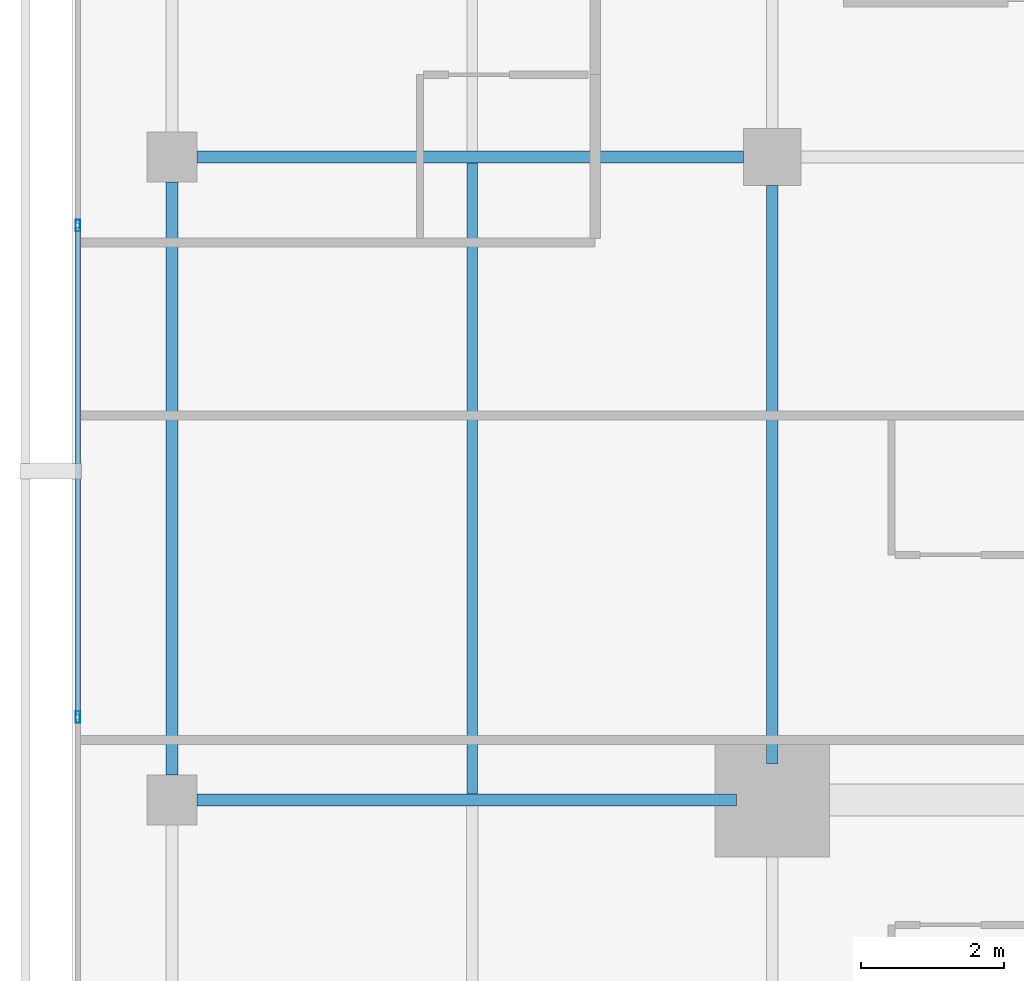
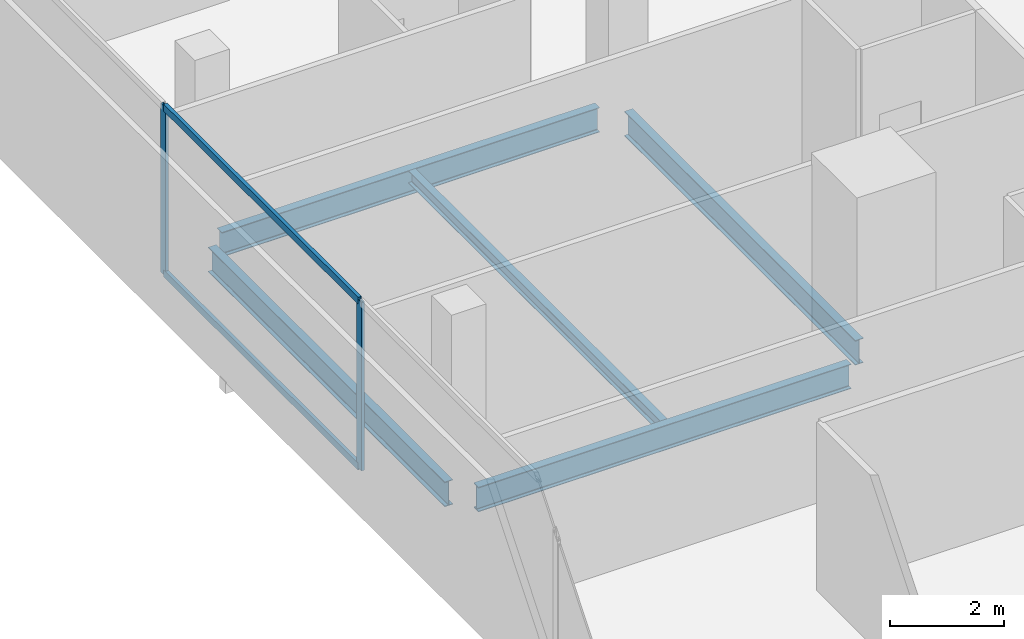
# One storey, part 8 of 26: 5 beams, 4 members, 1 element without a shape of its own.
"""IFC4 building model written with IfcOpenShell, lengths in metres."""

import ifcopenshell
import ifcopenshell.guid

model = None  # the IFC model being written
_history = None  # IfcOwnerHistory: only IFC2X3 demands one
_inside = {}  # id of a spatial element -> (the spatial element, [elements in it])
_under = {}  # id of a project, library or spatial element -> (it, [spatial elements below it])
_declared = {}  # id of a project -> (the project, [libraries it declares])
_typed = {}  # id of a type object -> (the type object, [elements of that type])
_made_of = {}  # id of a material, layer set ... -> (it, [elements and type objects made of it])


def new_model(schema):
    """Start an empty IFC model of exactly this schema.

    Asked for "IFC4X3", IfcOpenShell would pick the latest addendum, in which some entities
    have other attributes; the version numbers below select the first issue.
    IFC2X3 requires an IfcOwnerHistory on every rooted entity: one is made here for all.
    """
    global model, _history
    if schema == "IFC4X3":
        model = ifcopenshell.file(schema_version=(4, 3, 0, 0))
    else:
        model = ifcopenshell.file(schema=schema)
    _inside.clear()
    _under.clear()
    _declared.clear()
    _typed.clear()
    _made_of.clear()
    _history = None
    if model.schema == "IFC2X3":
        org = make("IfcOrganization", Name="unknown")
        user = make(
            "IfcPersonAndOrganization",
            ThePerson=make("IfcPerson", FamilyName="unknown"),
            TheOrganization=org,
        )
        app = make(
            "IfcApplication",
            ApplicationDeveloper=org,
            Version="unknown",
            ApplicationFullName="unknown",
            ApplicationIdentifier="unknown",
        )
        _history = make(
            "IfcOwnerHistory",
            OwningUser=user,
            OwningApplication=app,
            ChangeAction="ADDED",
            CreationDate=0,
        )
    return model


def make(cls, **values):
    """One entity of the class cls with the attributes given. An attribute that is None is left unset."""
    return model.create_entity(
        cls, **{name: value for name, value in values.items() if value is not None}
    )


def rooted(cls, **values):
    """An entity with a GlobalId (a new one), such as an element, a storey or a relation."""
    return make(cls, GlobalId=ifcopenshell.guid.new(), OwnerHistory=_history, **values)


def si_unit(unit_type, name, prefix=None):
    """IfcSIUnit, for example si_unit("LENGTHUNIT", "METRE", prefix="MILLI")."""
    return make("IfcSIUnit", UnitType=unit_type, Prefix=prefix, Name=name)


def assignment(units):
    """IfcUnitAssignment: the units of a project."""
    return None if units is None else make("IfcUnitAssignment", Units=units)


def point(xyz):
    """IfcCartesianPoint."""
    return None if xyz is None else make("IfcCartesianPoint", Coordinates=xyz)


def direction(xyz):
    """IfcDirection."""
    return None if xyz is None else make("IfcDirection", DirectionRatios=xyz)


def frame(location, z_axis=None, x_axis=None):
    """IfcAxis2Placement3D, a coordinate frame: its origin and axes. An axis left out is left unset."""
    return make(
        "IfcAxis2Placement3D",
        Location=point(location),
        Axis=direction(z_axis),
        RefDirection=direction(x_axis),
    )


def frame_2d(location, x_axis=None):
    """IfcAxis2Placement2D, a coordinate frame in the plane: its origin and x axis."""
    return make(
        "IfcAxis2Placement2D", Location=point(location), RefDirection=direction(x_axis)
    )


def origin():
    """The frame at (0, 0, 0) with its axes left unset."""
    return frame((0.0, 0.0, 0.0))


def origin_2d():
    """The frame at (0, 0) in the plane with its x axis left unset."""
    return frame_2d((0.0, 0.0))


def place(relative_to, where):
    """IfcLocalPlacement: puts the frame where relative to a parent placement (None: the world)."""
    return make(
        "IfcLocalPlacement", PlacementRelTo=relative_to, RelativePlacement=where
    )


def context(
    kind, dimensions, precision=None, world=None, true_north=None, identifier=None
):
    """IfcGeometricRepresentationContext, for example the 3D "Model" context."""
    return make(
        "IfcGeometricRepresentationContext",
        ContextIdentifier=identifier,
        ContextType=kind,
        CoordinateSpaceDimension=dimensions,
        Precision=precision,
        WorldCoordinateSystem=world,
        TrueNorth=true_north,
    )


def subcontext(parent, identifier, kind, view, scale=None):
    """IfcGeometricRepresentationSubContext, for example "Body" below "Model"."""
    return make(
        "IfcGeometricRepresentationSubContext",
        ContextIdentifier=identifier,
        ContextType=kind,
        ParentContext=parent,
        TargetScale=scale,
        TargetView=view,
    )


def project(units=None, contexts=None):
    """IfcProject with its units and contexts."""
    return rooted(
        "IfcProject",
        Name="project",
        RepresentationContexts=contexts,
        UnitsInContext=assignment(units),
    )


def spatial(cls, under=None, at=None, **own):
    """A site, building, storey or space (cls), placed at a placement, below another one or the project."""
    s = rooted(cls, ObjectPlacement=at, **own)
    if under is not None:
        _under.setdefault(under.id(), (under, []))[1].append(s)
    return s


def profile(cls, at=None, kind="AREA", **sizes):
    """A parametric profile (cls). Its sizes go by their IFC names, for example OverallWidth=200.0."""
    return make(cls, ProfileType=kind, Position=at, **sizes)


def hollow_rectangle(**sizes):
    """IfcRectangleHollowProfileDef."""
    return profile("IfcRectangleHollowProfileDef", **sizes)


def i_section(**sizes):
    """IfcIShapeProfileDef."""
    return profile("IfcIShapeProfileDef", **sizes)


def extrude(swept, where, along, depth):
    """IfcExtrudedAreaSolid: the profile swept, set in the frame where, extruded along a direction by depth."""
    return make(
        "IfcExtrudedAreaSolid",
        SweptArea=swept,
        Position=where,
        ExtrudedDirection=direction(along),
        Depth=depth,
    )


def shape(context_of_items, identifier, shape_type, items):
    """IfcShapeRepresentation: the items that make up one representation, for example the "Body"."""
    return make(
        "IfcShapeRepresentation",
        ContextOfItems=context_of_items,
        RepresentationIdentifier=identifier,
        RepresentationType=shape_type,
        Items=items,
    )


def material(Name=None, Category=None):
    """IfcMaterial."""
    return make("IfcMaterial", Name=Name, Category=Category)


def layer(
    of_material, thickness, ventilated=None, Name=None, Category=None, Priority=None
):
    """IfcMaterialLayer: one layer of a wall or slab, of a material (None: an air gap)."""
    return make(
        "IfcMaterialLayer",
        Material=of_material,
        LayerThickness=thickness,
        IsVentilated=ventilated,
        Name=Name,
        Category=Category,
        Priority=Priority,
    )


def layer_set(layers, Name=None):
    """IfcMaterialLayerSet."""
    return make("IfcMaterialLayerSet", MaterialLayers=layers, LayerSetName=Name)


def material_profile(
    of_material, cross_section, Name=None, Category=None, Priority=None
):
    """IfcMaterialProfile: a cross section and its material."""
    return make(
        "IfcMaterialProfile",
        Name=Name,
        Material=of_material,
        Profile=cross_section,
        Priority=Priority,
        Category=Category,
    )


def profile_set(profiles, Name=None, composite=None):
    """IfcMaterialProfileSet."""
    return make(
        "IfcMaterialProfileSet",
        Name=Name,
        MaterialProfiles=profiles,
        CompositeProfile=composite,
    )


def made_of(thing, what):
    """Note that an element or type object is made of a material, layer set ...; save() writes the relation."""
    if what is not None:
        _made_of.setdefault(what.id(), (what, []))[1].append(thing)
    return thing


def type_object(cls, material=None, **own):
    """A type object (cls), such as IfcWallType, which elements share."""
    return made_of(rooted(cls, **own), material)


def element(
    cls,
    number,
    at=None,
    inside=None,
    cuts=None,
    type_object=None,
    material=None,
    context=None,
    identifier="Body",
    shape_type=None,
    held_by="IfcProductDefinitionShape",
    body=None,
    shapes=None,
    **own,
):
    """One element of the class cls, such as IfcWall. Its Tag is "e" and its number.

    at: its placement. inside: the storey or other place that contains it. cuts: it is an
    opening in that element (IfcRelVoidsElement). A single representation is given by context,
    identifier, shape_type and body (its items); several are given by shapes. held_by: the class
    of the entity that holds the representations. save() writes the other relations.
    """
    e = rooted(cls, Tag="e%d" % number, ObjectPlacement=at, **own)
    if body is not None:
        shapes = [shape(context, identifier, shape_type, body)]
    if shapes is not None:
        e.Representation = make(held_by, Representations=shapes)
    if inside is not None:
        _inside.setdefault(inside.id(), (inside, []))[1].append(e)
    if cuts is not None:
        rooted(
            "IfcRelVoidsElement", RelatingBuildingElement=cuts, RelatedOpeningElement=e
        )
    if type_object is not None:
        _typed.setdefault(type_object.id(), (type_object, []))[1].append(e)
    return made_of(e, material)


def aggregate(whole, parts):
    """IfcRelAggregates: a whole, such as a stair, and the parts it consists of."""
    return rooted("IfcRelAggregates", RelatingObject=whole, RelatedObjects=parts)


def save(model, path):
    """Write the relations noted so far, then the file.

    IfcRelAggregates (storeys below a building ...), IfcRelContainedInSpatialStructure (elements
    in a storey), IfcRelDefinesByType, IfcRelAssociatesMaterial and IfcRelDeclares: one each for
    every whole, place, type object, material and project.
    """
    for whole, parts in _under.values():
        aggregate(whole, parts)
    for where, things in _inside.values():
        rooted(
            "IfcRelContainedInSpatialStructure",
            RelatedElements=things,
            RelatingStructure=where,
        )
    for kind, things in _typed.values():
        rooted("IfcRelDefinesByType", RelatedObjects=things, RelatingType=kind)
    for what, things in _made_of.values():
        rooted("IfcRelAssociatesMaterial", RelatedObjects=things, RelatingMaterial=what)
    for by, libraries in _declared.values():
        rooted("IfcRelDeclares", RelatingContext=by, RelatedDefinitions=libraries)
    model.write(path)


model = new_model("IFC4")

# Units and contexts
model_context = context("Model", 3, precision=1e-05, world=origin(), true_north=direction((0.0, 1.0)))
body_context = subcontext(model_context, "Body", "Model", "MODEL_VIEW")
ifc_project = project(units=[si_unit("LENGTHUNIT", "METRE"), si_unit("AREAUNIT", "SQUARE_METRE"), si_unit("VOLUMEUNIT", "CUBIC_METRE"), si_unit("PLANEANGLEUNIT", "RADIAN"), si_unit("MASSUNIT", "GRAM", prefix="KILO")], contexts=[model_context])

# Site, building, storey
site_placement = place(None, origin())
site = spatial("IfcSite", under=ifc_project, at=site_placement, CompositionType="ELEMENT")
building_placement = place(site_placement, origin())
building = spatial("IfcBuilding", under=site, at=building_placement, Name="Maruvema Waterfront Hotel and Observation Tower", CompositionType="ELEMENT")
storey_placement = place(building_placement, frame((0.0, 0.0, 301.0)))
storey = spatial("IfcBuildingStorey", under=building, at=storey_placement, Name="L74", CompositionType="ELEMENT", Elevation=301.0)

# Curtain wall, members
ifc_material_1 = material(Name="Anodised bronze aluminium and solar-control low-E IGU", Category="aluminium")
ifc_layer = layer(ifc_material_1, 0.159912109375, Name="Zone 3 Champagne Inner Thermal Curtain Wall System CW-04")
ifc_layer_set = layer_set([ifc_layer], Name="Anodised bronze aluminium and solar-control low-E IGU")
curtain_wall_type = type_object("IfcCurtainWallType", Name="Zone 3 Champagne Inner Thermal Curtain Wall System CW-04", PredefinedType="USERDEFINED", material=ifc_layer_set)
curtain_wall_placement = place(storey_placement, origin())
curtain_wall = element("IfcCurtainWall", 1, at=curtain_wall_placement, inside=storey, type_object=curtain_wall_type, Name="L74 Curtain Wall CW-L74-W", ObjectType="UNITISED CURTAIN WALL", PredefinedType="USERDEFINED")
ifc_material_2 = material(Name="Anodised architectural bronze aluminium", Category="aluminium")
ifc_material_profile_1 = material_profile(ifc_material_2, hollow_rectangle(XDim=0.070068359375, YDim=0.14990234375, WallThickness=0.00390625, at=origin_2d()), Name="ALU-T70x150")
ifc_profile_set_1 = profile_set([ifc_material_profile_1], Name="Anodised architectural bronze aluminium")
member_type_1 = type_object("IfcMemberType", Name="Curtain Wall Horizontal Transom ALU-T70x150", PredefinedType="USERDEFINED", material=ifc_profile_set_1)
member_1_placement = place(storey_placement, frame((15.47998046875, 35.010009765625, 0.030029296875), z_axis=(0.0, -1.0, 0.0), x_axis=(1.0, 0.0, 0.0)))
member_1 = element("IfcMember", 2, at=member_1_placement, type_object=member_type_1, Name="CW-04 transom 3.1", ObjectType="TRANSOM", PredefinedType="USERDEFINED", context=body_context, shape_type="SweptSolid", body=[
    extrude(hollow_rectangle(XDim=0.070068359375, YDim=0.14990234375, WallThickness=0.00390625, at=origin_2d()), origin(), (0.0, 0.0, 1.0), 6.820068359375),
])
member_2_placement = place(storey_placement, frame((15.47998046875, 35.010009765625, 3.580078125), z_axis=(0.0, -1.0, 0.0), x_axis=(1.0, 0.0, 0.0)))
member_2 = element("IfcMember", 3, at=member_2_placement, type_object=member_type_1, Name="CW-04 transom 3.2", ObjectType="TRANSOM", PredefinedType="USERDEFINED", context=body_context, shape_type="SweptSolid", body=[
    extrude(hollow_rectangle(XDim=0.070068359375, YDim=0.14990234375, WallThickness=0.00390625, at=origin_2d()), origin(), (0.0, 0.0, 1.0), 6.820068359375),
])
ifc_material_3 = material(Name="Anodised architectural bronze aluminium", Category="aluminium")
ifc_material_profile_2 = material_profile(ifc_material_3, hollow_rectangle(XDim=0.06494140625, YDim=0.1650390625, WallThickness=0.00390625, at=origin_2d()), Name="ALU-M65x165")
ifc_profile_set_2 = profile_set([ifc_material_profile_2], Name="Anodised architectural bronze aluminium")
member_type_2 = type_object("IfcMemberType", Name="Curtain Wall Primary Mullion ALU-M65x165", PredefinedType="MULLION", material=ifc_profile_set_2)
member_3_placement = place(storey_placement, frame((15.47998046875, 35.0400390625, 0.0), z_axis=(0.0, 0.0, 1.0), x_axis=(1.0, 0.0, 0.0)))
member_3 = element("IfcMember", 4, at=member_3_placement, type_object=member_type_2, Name="CW-04 mullion 3", PredefinedType="MULLION", context=body_context, shape_type="SweptSolid", body=[
    extrude(hollow_rectangle(XDim=0.06494140625, YDim=0.1650390625, WallThickness=0.00390625, at=origin_2d()), origin(), (0.0, 0.0, 1.0), 3.610107421875),
])
member_4_placement = place(storey_placement, frame((15.47998046875, 28.159912109375, 0.0), z_axis=(0.0, 0.0, 1.0), x_axis=(1.0, 0.0, 0.0)))
member_4 = element("IfcMember", 5, at=member_4_placement, type_object=member_type_2, Name="CW-04 mullion 4", PredefinedType="MULLION", context=body_context, shape_type="SweptSolid", body=[
    extrude(hollow_rectangle(XDim=0.06494140625, YDim=0.1650390625, WallThickness=0.00390625, at=origin_2d()), origin(), (0.0, 0.0, 1.0), 3.610107421875),
])
aggregate(curtain_wall, [member_3, member_4, member_1, member_2])

# Beams
ifc_material_4 = material(Name="Steel ASTM A572 Grade 50", Category="steel")
ifc_material_profile_3 = material_profile(ifc_material_4, i_section(OverallWidth=0.166015625, OverallDepth=0.529052734375, WebThickness=0.009765625, FlangeThickness=0.013671875, FilletRadius=0.014892578125, at=origin_2d()), Name="W530x74.0")
ifc_profile_set_3 = profile_set([ifc_material_profile_3], Name="Steel ASTM A572 Grade 50")
beam_type_1 = type_object("IfcBeamType", Name="Primary Floor Girder W530x74.0", PredefinedType="BEAM", material=ifc_profile_set_3)
beam_1_placement = place(storey_placement, frame((17.14990234375, 27.0, -0.50439453125), z_axis=(1.0, 0.0, 0.0), x_axis=(0.0, 1.0, 0.0)))
element("IfcBeam", 6, at=beam_1_placement, inside=storey, type_object=beam_type_1, Name="L74 Floor Girder EW-09", PredefinedType="BEAM", context=body_context, shape_type="SweptSolid", body=[
    extrude(i_section(OverallWidth=0.166015625, OverallDepth=0.529052734375, WebThickness=0.009765625, FlangeThickness=0.013671875, FilletRadius=0.014892578125, at=origin_2d()), origin(), (0.0, 0.0, 1.0), 7.550048828125),
])
beam_2_placement = place(storey_placement, frame((17.14990234375, 36.0, -0.50439453125), z_axis=(1.0, 0.0, 0.0), x_axis=(0.0, 1.0, 0.0)))
element("IfcBeam", 7, at=beam_2_placement, inside=storey, type_object=beam_type_1, Name="L74 Floor Girder EW-12", PredefinedType="BEAM", context=body_context, shape_type="SweptSolid", body=[
    extrude(i_section(OverallWidth=0.166015625, OverallDepth=0.529052734375, WebThickness=0.009765625, FlangeThickness=0.013671875, FilletRadius=0.014892578125, at=origin_2d()), origin(), (0.0, 0.0, 1.0), 7.650146484375),
])
beam_3_placement = place(storey_placement, frame((16.800048828125, 27.35009765625, -0.50439453125), z_axis=(0.0, 1.0, 0.0), x_axis=(-1.0, 0.0, 0.0)))
element("IfcBeam", 8, at=beam_3_placement, inside=storey, type_object=beam_type_1, Name="L74 Floor Girder NS-02", PredefinedType="BEAM", context=body_context, shape_type="SweptSolid", body=[
    extrude(i_section(OverallWidth=0.166015625, OverallDepth=0.529052734375, WebThickness=0.009765625, FlangeThickness=0.013671875, FilletRadius=0.014892578125, at=origin_2d()), origin(), (0.0, 0.0, 1.0), 8.2998046875),
])
beam_4_placement = place(storey_placement, frame((25.199951171875, 27.5, -0.50439453125), z_axis=(0.0, 1.0, 0.0), x_axis=(-1.0, 0.0, 0.0)))
element("IfcBeam", 9, at=beam_4_placement, inside=storey, type_object=beam_type_1, Name="L74 Floor Girder NS-06", PredefinedType="BEAM", context=body_context, shape_type="SweptSolid", body=[
    extrude(i_section(OverallWidth=0.166015625, OverallDepth=0.529052734375, WebThickness=0.009765625, FlangeThickness=0.013671875, FilletRadius=0.014892578125, at=origin_2d()), origin(), (0.0, 0.0, 1.0), 8.10009765625),
])
ifc_material_5 = material(Name="Steel ASTM A572 Grade 50", Category="steel")
ifc_material_profile_4 = material_profile(ifc_material_5, i_section(OverallWidth=0.14794921875, OverallDepth=0.26611328125, WebThickness=0.007568359375, FlangeThickness=0.012939453125, FilletRadius=0.012939453125, at=origin_2d()), Name="W250x44.8")
ifc_profile_set_4 = profile_set([ifc_material_profile_4], Name="Steel ASTM A572 Grade 50")
beam_type_2 = type_object("IfcBeamType", Name="Secondary Floor Joist W250x44.8", PredefinedType="JOIST", material=ifc_profile_set_4)
beam_5_placement = place(storey_placement, frame((21.0, 27.0830078125, -0.373046875), z_axis=(0.0, 1.0, 0.0), x_axis=(-1.0, 0.0, 0.0)))
element("IfcBeam", 10, at=beam_5_placement, inside=storey, type_object=beam_type_2, Name="L74 Secondary Floor Joist JS-02", PredefinedType="JOIST", context=body_context, shape_type="SweptSolid", body=[
    extrude(i_section(OverallWidth=0.14794921875, OverallDepth=0.26611328125, WebThickness=0.007568359375, FlangeThickness=0.012939453125, FilletRadius=0.012939453125, at=origin_2d()), origin(), (0.0, 0.0, 1.0), 8.833984375),
])

save(model, "model.ifc")
